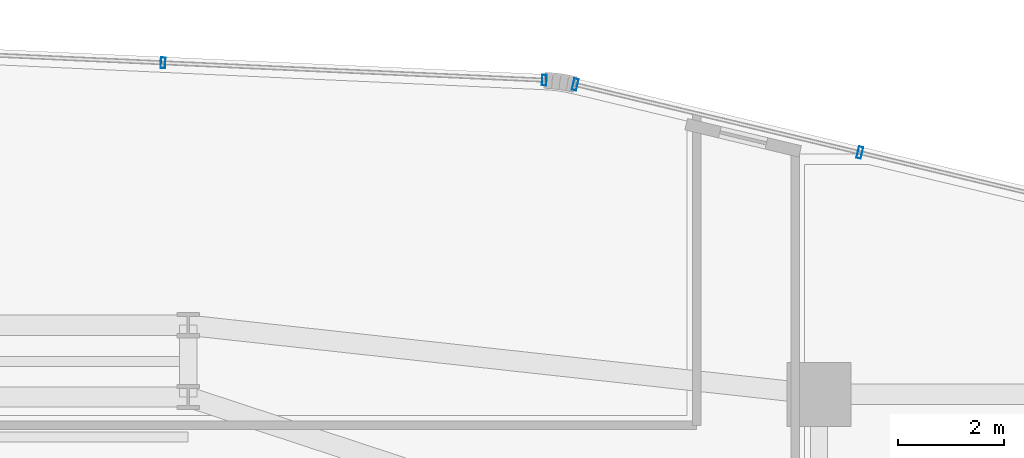
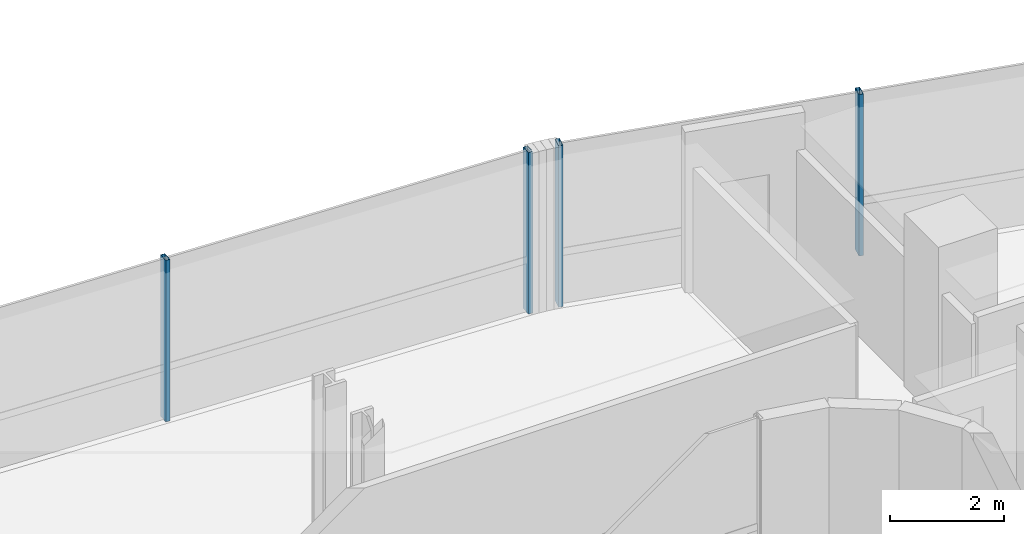
# One storey, part 23 of 35: 4 members, 2 elements without a shape of their own.
"""IFC4 building model written with IfcOpenShell, lengths in metres."""

import ifcopenshell
import ifcopenshell.guid

model = None  # the IFC model being written
_history = None  # IfcOwnerHistory: only IFC2X3 demands one
_inside = {}  # id of a spatial element -> (the spatial element, [elements in it])
_under = {}  # id of a project, library or spatial element -> (it, [spatial elements below it])
_declared = {}  # id of a project -> (the project, [libraries it declares])
_typed = {}  # id of a type object -> (the type object, [elements of that type])
_made_of = {}  # id of a material, layer set ... -> (it, [elements and type objects made of it])


def new_model(schema):
    """Start an empty IFC model of exactly this schema.

    Asked for "IFC4X3", IfcOpenShell would pick the latest addendum, in which some entities
    have other attributes; the version numbers below select the first issue.
    IFC2X3 requires an IfcOwnerHistory on every rooted entity: one is made here for all.
    """
    global model, _history
    if schema == "IFC4X3":
        model = ifcopenshell.file(schema_version=(4, 3, 0, 0))
    else:
        model = ifcopenshell.file(schema=schema)
    _inside.clear()
    _under.clear()
    _declared.clear()
    _typed.clear()
    _made_of.clear()
    _history = None
    if model.schema == "IFC2X3":
        org = make("IfcOrganization", Name="unknown")
        user = make(
            "IfcPersonAndOrganization",
            ThePerson=make("IfcPerson", FamilyName="unknown"),
            TheOrganization=org,
        )
        app = make(
            "IfcApplication",
            ApplicationDeveloper=org,
            Version="unknown",
            ApplicationFullName="unknown",
            ApplicationIdentifier="unknown",
        )
        _history = make(
            "IfcOwnerHistory",
            OwningUser=user,
            OwningApplication=app,
            ChangeAction="ADDED",
            CreationDate=0,
        )
    return model


def make(cls, **values):
    """One entity of the class cls with the attributes given. An attribute that is None is left unset."""
    return model.create_entity(
        cls, **{name: value for name, value in values.items() if value is not None}
    )


def rooted(cls, **values):
    """An entity with a GlobalId (a new one), such as an element, a storey or a relation."""
    return make(cls, GlobalId=ifcopenshell.guid.new(), OwnerHistory=_history, **values)


def si_unit(unit_type, name, prefix=None):
    """IfcSIUnit, for example si_unit("LENGTHUNIT", "METRE", prefix="MILLI")."""
    return make("IfcSIUnit", UnitType=unit_type, Prefix=prefix, Name=name)


def assignment(units):
    """IfcUnitAssignment: the units of a project."""
    return None if units is None else make("IfcUnitAssignment", Units=units)


def point(xyz):
    """IfcCartesianPoint."""
    return None if xyz is None else make("IfcCartesianPoint", Coordinates=xyz)


def direction(xyz):
    """IfcDirection."""
    return None if xyz is None else make("IfcDirection", DirectionRatios=xyz)


def frame(location, z_axis=None, x_axis=None):
    """IfcAxis2Placement3D, a coordinate frame: its origin and axes. An axis left out is left unset."""
    return make(
        "IfcAxis2Placement3D",
        Location=point(location),
        Axis=direction(z_axis),
        RefDirection=direction(x_axis),
    )


def frame_2d(location, x_axis=None):
    """IfcAxis2Placement2D, a coordinate frame in the plane: its origin and x axis."""
    return make(
        "IfcAxis2Placement2D", Location=point(location), RefDirection=direction(x_axis)
    )


def origin():
    """The frame at (0, 0, 0) with its axes left unset."""
    return frame((0.0, 0.0, 0.0))


def origin_2d():
    """The frame at (0, 0) in the plane with its x axis left unset."""
    return frame_2d((0.0, 0.0))


def place(relative_to, where):
    """IfcLocalPlacement: puts the frame where relative to a parent placement (None: the world)."""
    return make(
        "IfcLocalPlacement", PlacementRelTo=relative_to, RelativePlacement=where
    )


def context(
    kind, dimensions, precision=None, world=None, true_north=None, identifier=None
):
    """IfcGeometricRepresentationContext, for example the 3D "Model" context."""
    return make(
        "IfcGeometricRepresentationContext",
        ContextIdentifier=identifier,
        ContextType=kind,
        CoordinateSpaceDimension=dimensions,
        Precision=precision,
        WorldCoordinateSystem=world,
        TrueNorth=true_north,
    )


def subcontext(parent, identifier, kind, view, scale=None):
    """IfcGeometricRepresentationSubContext, for example "Body" below "Model"."""
    return make(
        "IfcGeometricRepresentationSubContext",
        ContextIdentifier=identifier,
        ContextType=kind,
        ParentContext=parent,
        TargetScale=scale,
        TargetView=view,
    )


def project(units=None, contexts=None):
    """IfcProject with its units and contexts."""
    return rooted(
        "IfcProject",
        Name="project",
        RepresentationContexts=contexts,
        UnitsInContext=assignment(units),
    )


def spatial(cls, under=None, at=None, **own):
    """A site, building, storey or space (cls), placed at a placement, below another one or the project."""
    s = rooted(cls, ObjectPlacement=at, **own)
    if under is not None:
        _under.setdefault(under.id(), (under, []))[1].append(s)
    return s


def profile(cls, at=None, kind="AREA", **sizes):
    """A parametric profile (cls). Its sizes go by their IFC names, for example OverallWidth=200.0."""
    return make(cls, ProfileType=kind, Position=at, **sizes)


def hollow_rectangle(**sizes):
    """IfcRectangleHollowProfileDef."""
    return profile("IfcRectangleHollowProfileDef", **sizes)


def extrude(swept, where, along, depth):
    """IfcExtrudedAreaSolid: the profile swept, set in the frame where, extruded along a direction by depth."""
    return make(
        "IfcExtrudedAreaSolid",
        SweptArea=swept,
        Position=where,
        ExtrudedDirection=direction(along),
        Depth=depth,
    )


def shape(context_of_items, identifier, shape_type, items):
    """IfcShapeRepresentation: the items that make up one representation, for example the "Body"."""
    return make(
        "IfcShapeRepresentation",
        ContextOfItems=context_of_items,
        RepresentationIdentifier=identifier,
        RepresentationType=shape_type,
        Items=items,
    )


def source(mapping_origin, context_of_items, identifier, shape_type, items):
    """IfcRepresentationMap: a shape defined once, which mapped items show again and again."""
    return make(
        "IfcRepresentationMap",
        MappingOrigin=mapping_origin,
        MappedRepresentation=shape(context_of_items, identifier, shape_type, items),
    )


def transform(
    local_origin,
    x_axis=None,
    y_axis=None,
    z_axis=None,
    scale=None,
    scale2=None,
    scale3=None,
    uniform=True,
):
    """IfcCartesianTransformationOperator3D, or its non-uniform kind. x_axis, y_axis, z_axis: its Axis1, 2, 3."""
    if uniform:
        return make(
            "IfcCartesianTransformationOperator3D",
            Axis1=direction(x_axis),
            Axis2=direction(y_axis),
            LocalOrigin=point(local_origin),
            Scale=scale,
            Axis3=direction(z_axis),
        )
    return make(
        "IfcCartesianTransformationOperator3DnonUniform",
        Axis1=direction(x_axis),
        Axis2=direction(y_axis),
        LocalOrigin=point(local_origin),
        Scale=scale,
        Axis3=direction(z_axis),
        Scale2=scale2,
        Scale3=scale3,
    )


def mapped(mapping_source, mapping_target):
    """IfcMappedItem: shows the shape of a source again, moved by a transform."""
    return make(
        "IfcMappedItem", MappingSource=mapping_source, MappingTarget=mapping_target
    )


def material(Name=None, Category=None):
    """IfcMaterial."""
    return make("IfcMaterial", Name=Name, Category=Category)


def material_profile(
    of_material, cross_section, Name=None, Category=None, Priority=None
):
    """IfcMaterialProfile: a cross section and its material."""
    return make(
        "IfcMaterialProfile",
        Name=Name,
        Material=of_material,
        Profile=cross_section,
        Priority=Priority,
        Category=Category,
    )


def profile_set(profiles, Name=None, composite=None):
    """IfcMaterialProfileSet."""
    return make(
        "IfcMaterialProfileSet",
        Name=Name,
        MaterialProfiles=profiles,
        CompositeProfile=composite,
    )


def made_of(thing, what):
    """Note that an element or type object is made of a material, layer set ...; save() writes the relation."""
    if what is not None:
        _made_of.setdefault(what.id(), (what, []))[1].append(thing)
    return thing


def type_object(cls, material=None, **own):
    """A type object (cls), such as IfcWallType, which elements share."""
    return made_of(rooted(cls, **own), material)


def element(
    cls,
    number,
    at=None,
    inside=None,
    cuts=None,
    type_object=None,
    material=None,
    context=None,
    identifier="Body",
    shape_type=None,
    held_by="IfcProductDefinitionShape",
    body=None,
    shapes=None,
    **own,
):
    """One element of the class cls, such as IfcWall. Its Tag is "e" and its number.

    at: its placement. inside: the storey or other place that contains it. cuts: it is an
    opening in that element (IfcRelVoidsElement). A single representation is given by context,
    identifier, shape_type and body (its items); several are given by shapes. held_by: the class
    of the entity that holds the representations. save() writes the other relations.
    """
    e = rooted(cls, Tag="e%d" % number, ObjectPlacement=at, **own)
    if body is not None:
        shapes = [shape(context, identifier, shape_type, body)]
    if shapes is not None:
        e.Representation = make(held_by, Representations=shapes)
    if inside is not None:
        _inside.setdefault(inside.id(), (inside, []))[1].append(e)
    if cuts is not None:
        rooted(
            "IfcRelVoidsElement", RelatingBuildingElement=cuts, RelatedOpeningElement=e
        )
    if type_object is not None:
        _typed.setdefault(type_object.id(), (type_object, []))[1].append(e)
    return made_of(e, material)


def aggregate(whole, parts):
    """IfcRelAggregates: a whole, such as a stair, and the parts it consists of."""
    return rooted("IfcRelAggregates", RelatingObject=whole, RelatedObjects=parts)


def save(model, path):
    """Write the relations noted so far, then the file.

    IfcRelAggregates (storeys below a building ...), IfcRelContainedInSpatialStructure (elements
    in a storey), IfcRelDefinesByType, IfcRelAssociatesMaterial and IfcRelDeclares: one each for
    every whole, place, type object, material and project.
    """
    for whole, parts in _under.values():
        aggregate(whole, parts)
    for where, things in _inside.values():
        rooted(
            "IfcRelContainedInSpatialStructure",
            RelatedElements=things,
            RelatingStructure=where,
        )
    for kind, things in _typed.values():
        rooted("IfcRelDefinesByType", RelatedObjects=things, RelatingType=kind)
    for what, things in _made_of.values():
        rooted("IfcRelAssociatesMaterial", RelatedObjects=things, RelatingMaterial=what)
    for by, libraries in _declared.values():
        rooted("IfcRelDeclares", RelatingContext=by, RelatedDefinitions=libraries)
    model.write(path)


model = new_model("IFC4")

# Units and contexts
model_context = context("Model", 3, precision=1e-05, world=origin(), true_north=direction((0.0, 1.0)))
body_context = subcontext(model_context, "Body", "Model", "MODEL_VIEW")
ifc_project = project(units=[si_unit("LENGTHUNIT", "METRE"), si_unit("AREAUNIT", "SQUARE_METRE"), si_unit("VOLUMEUNIT", "CUBIC_METRE"), si_unit("PLANEANGLEUNIT", "RADIAN"), si_unit("MASSUNIT", "GRAM", prefix="KILO")], contexts=[model_context])

# Site, building, storey
site_placement = place(None, origin())
site = spatial("IfcSite", under=ifc_project, at=site_placement, CompositionType="ELEMENT")
building_placement = place(site_placement, origin())
building = spatial("IfcBuilding", under=site, at=building_placement, Name="Valdorenza Pilgrim Sanctuary Tower", CompositionType="ELEMENT")
storey_placement = place(building_placement, frame((0.0, 0.0, 150.10009765625)))
storey = spatial("IfcBuildingStorey", under=building, at=storey_placement, Name="L38", CompositionType="ELEMENT", Elevation=150.10009765625)

# Curtain wall, members
ifc_material_1 = material(Name="Curtain-wall IGU glazing", Category="glass")
curtain_wall_type_1 = type_object("IfcCurtainWallType", Name="CW-SYS-02", PredefinedType="NOTDEFINED", material=ifc_material_1)
curtain_wall_1_placement = place(storey_placement, origin())
curtain_wall_1 = element("IfcCurtainWall", 1, at=curtain_wall_1_placement, inside=storey, type_object=curtain_wall_type_1, Name="L38 Curtain Wall CW-L38-1-11", PredefinedType="NOTDEFINED")
ifc_material_2 = material(Name="Anodised aluminium AW-6060", Category="aluminium")
ifc_material_profile_1 = material_profile(ifc_material_2, hollow_rectangle(XDim=0.0849609375, YDim=0.199951171875, WallThickness=0.0048828125, at=origin_2d()), Name="ALU-M 200x85x5")
ifc_profile_set_1 = profile_set([ifc_material_profile_1], Name="Anodised aluminium AW-6060")
member_type_1 = type_object("IfcMemberType", Name="CW-MUL-02", PredefinedType="MULLION", material=ifc_profile_set_1)
shared_shape_1 = source(origin(), body_context, "Body", "SweptSolid", [
    extrude(hollow_rectangle(XDim=0.0849609375, YDim=0.199951171875, WallThickness=0.0048828125, at=origin_2d()), origin(), (0.0, 0.0, 1.0), 3.4599609375),
])
member_1_placement = place(storey_placement, frame((3.528076171875, 19.7294921875, 0.0), z_axis=(0.0, 0.0, 1.0), x_axis=(0.998968193221, -0.045415294044, 0.0)))
member_1 = element("IfcMember", 2, at=member_1_placement, type_object=member_type_1, Name="CW-L38-1-11 Mullion 3", PredefinedType="MULLION", context=body_context, shape_type="MappedRepresentation", body=[
    mapped(shared_shape_1, transform((0.0, 0.0, 0.0), x_axis=(1.0, 0.0, 0.0), y_axis=(0.0, 1.0, 0.0), z_axis=(0.0, 0.0, 1.0), scale=1.0)),
])
member_2_placement = place(storey_placement, frame((10.68994140625, 19.404052734375, 0.0), z_axis=(0.0, 0.0, 1.0), x_axis=(0.998968193221, -0.045415294044, 0.0)))
member_2 = element("IfcMember", 3, at=member_2_placement, type_object=member_type_1, Name="CW-L38-1-11 Mullion 4", PredefinedType="MULLION", context=body_context, shape_type="MappedRepresentation", body=[
    mapped(shared_shape_1, transform((0.0, 0.0, 0.0), x_axis=(1.0, 0.0, 0.0), y_axis=(0.0, 1.0, 0.0), z_axis=(0.0, 0.0, 1.0), scale=1.0)),
])
aggregate(curtain_wall_1, [member_1, member_2])

curtain_wall_type_2 = type_object("IfcCurtainWallType", Name="CW-SYS-03", PredefinedType="NOTDEFINED", material=ifc_material_1)
curtain_wall_2_placement = place(storey_placement, origin())
curtain_wall_2 = element("IfcCurtainWall", 4, at=curtain_wall_2_placement, inside=storey, type_object=curtain_wall_type_2, Name="L38 Curtain Wall CW-L38-1-16", PredefinedType="NOTDEFINED")
ifc_material_profile_2 = material_profile(ifc_material_2, hollow_rectangle(XDim=0.0849609375, YDim=0.219970703125, WallThickness=0.0048828125, at=origin_2d()), Name="ALU-M 220x85x5")
ifc_profile_set_2 = profile_set([ifc_material_profile_2], Name="Anodised aluminium AW-6060")
member_type_2 = type_object("IfcMemberType", Name="CW-MUL-03", PredefinedType="MULLION", material=ifc_profile_set_2)
shared_shape_2 = source(origin(), body_context, "Body", "SweptSolid", [
    extrude(hollow_rectangle(XDim=0.0849609375, YDim=0.219970703125, WallThickness=0.0048828125, at=origin_2d()), origin(), (0.0, 0.0, 1.0), 3.4599609375),
])
member_3_placement = place(storey_placement, frame((11.271484375, 19.322021484375, 0.0), z_axis=(0.0, 0.0, 1.0), x_axis=(0.972528596343, -0.232783438617, 0.0)))
member_3 = element("IfcMember", 5, at=member_3_placement, type_object=member_type_2, Name="CW-L38-1-16 Mullion 1", PredefinedType="MULLION", context=body_context, shape_type="MappedRepresentation", body=[
    mapped(shared_shape_2, transform((0.0, 0.0, 0.0), x_axis=(1.0, 0.0, 0.0), y_axis=(0.0, 1.0, 0.0), z_axis=(0.0, 0.0, 1.0), scale=1.0)),
])
member_4_placement = place(storey_placement, frame((16.617919921875, 18.042236328125, 0.0), z_axis=(0.0, 0.0, 1.0), x_axis=(0.972528596343, -0.232783438617, 0.0)))
member_4 = element("IfcMember", 6, at=member_4_placement, type_object=member_type_2, Name="CW-L38-1-16 Mullion 2", PredefinedType="MULLION", context=body_context, shape_type="MappedRepresentation", body=[
    mapped(shared_shape_2, transform((0.0, 0.0, 0.0), x_axis=(1.0, 0.0, 0.0), y_axis=(0.0, 1.0, 0.0), z_axis=(0.0, 0.0, 1.0), scale=1.0)),
])
aggregate(curtain_wall_2, [member_3, member_4])

save(model, "model.ifc")
